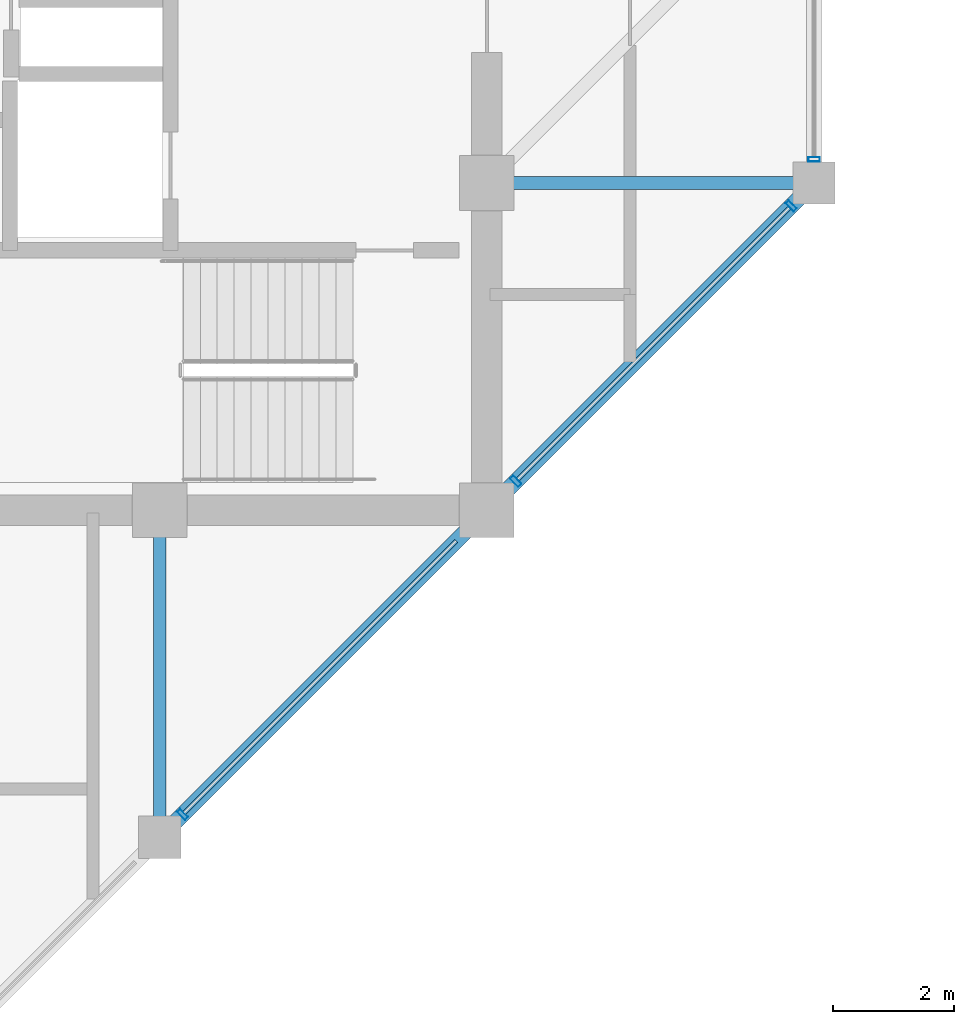
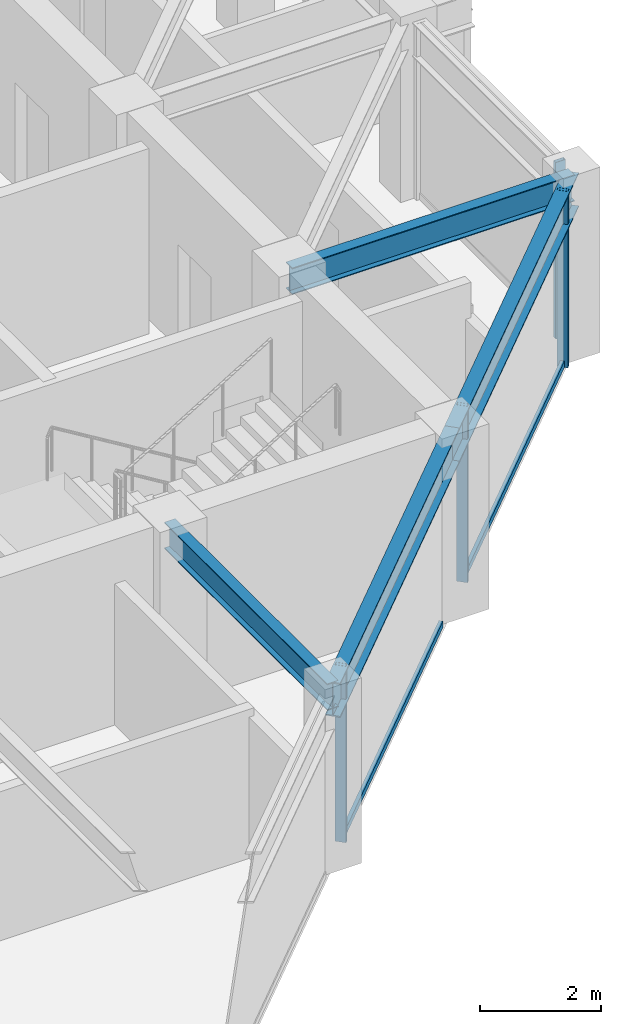
# One storey, part 9 of 31: 6 members, 4 beams, 2 elements without a shape of their own.
"""IFC4 building model written with IfcOpenShell, lengths in metres."""

from ifc_helpers import new_model, si_unit, direction, frame, origin, origin_2d, place, context, subcontext, project, spatial, hollow_rectangle, i_section, extrude, material, layer, layer_set, material_profile, profile_set, type_object, element, aggregate, save


model = new_model("IFC4")

# Units and contexts
model_context = context("Model", 3, precision=1e-05, world=origin(), true_north=direction((0.0, 1.0)))
body_context = subcontext(model_context, "Body", "Model", "MODEL_VIEW")
ifc_project = project(units=[si_unit("LENGTHUNIT", "METRE"), si_unit("AREAUNIT", "SQUARE_METRE"), si_unit("VOLUMEUNIT", "CUBIC_METRE"), si_unit("PLANEANGLEUNIT", "RADIAN"), si_unit("MASSUNIT", "GRAM", prefix="KILO")], contexts=[model_context])

# Site, building, storey
site_placement = place(None, origin())
site = spatial("IfcSite", under=ifc_project, at=site_placement, CompositionType="ELEMENT")
building_placement = place(site_placement, origin())
building = spatial("IfcBuilding", under=site, at=building_placement, Name="Surkhivell Harbour Commons", CompositionType="ELEMENT")
storey_placement = place(building_placement, frame((0.0, 0.0, 270.0)))
storey = spatial("IfcBuildingStorey", under=building, at=storey_placement, Name="L70", CompositionType="ELEMENT", Elevation=270.0)

# Beams
ifc_material_1 = material(Name="Steel S355", Category="steel")
ifc_material_profile_1 = material_profile(ifc_material_1, i_section(OverallWidth=0.2099609375, OverallDepth=0.537109375, WebThickness=0.0107421875, FlangeThickness=0.017333984375, at=origin_2d()), Name="UB533x210x101")
ifc_profile_set_1 = profile_set([ifc_material_profile_1], Name="Steel S355")
beam_type_1 = type_object("IfcBeamType", Name="BM-GRD-533B", PredefinedType="BEAM", material=ifc_profile_set_1)
for number, where, z_axis, x_axis, name in (
    (1, (5.39990234375, -16.199951171875, 3.301513671875), (0.0, 1.0, 0.0), (-1.0, 0.0, 0.0), "L70 Floor Girder (5.4,-16.2)"),
    (2, (10.800048828125, -5.39990234375, 3.301513671875), (1.0, 0.0, 0.0), (0.0, 1.0, 0.0), "L70 Floor Girder (10.8,-5.4)"),
):
    element("IfcBeam", number, at=place(storey_placement, frame(where, z_axis=z_axis, x_axis=x_axis)), inside=storey, type_object=beam_type_1, Name=name, PredefinedType="BEAM", context=body_context, shape_type="SweptSolid", body=[
        extrude(i_section(OverallWidth=0.2099609375, OverallDepth=0.537109375, WebThickness=0.0107421875, FlangeThickness=0.017333984375, at=origin_2d()), origin(), (0.0, 0.0, 1.0), 5.39990234375),
    ])
ifc_material_profile_2 = material_profile(ifc_material_1, i_section(OverallWidth=0.256103515625, OverallDepth=0.693115234375, WebThickness=0.014404296875, FlangeThickness=0.023681640625, at=origin_2d()), Name="UB686x254x170")
ifc_profile_set_2 = profile_set([ifc_material_profile_2], Name="Steel S355")
beam_type_2 = type_object("IfcBeamType", Name="BM-SPN-686", PredefinedType="SPANDREL", material=ifc_profile_set_2)
for number, where, z_axis, x_axis, name in (
    (3, (5.39990234375, -16.199951171875, 3.223388671875), (0.707122765516, 0.707090796496, 0.0), (-0.707090796496, 0.707122765516, 0.0), "L70 Tube Spandrel (5.4,-16.2)"),
    (4, (10.800048828125, -10.800048828125, 3.223388671875), (0.707090796496, 0.707122765516, 0.0), (-0.707122765516, 0.707090796496, 0.0), "L70 Tube Spandrel (10.8,-10.8)"),
):
    element("IfcBeam", number, at=place(storey_placement, frame(where, z_axis=z_axis, x_axis=x_axis)), inside=storey, type_object=beam_type_2, Name=name, PredefinedType="SPANDREL", context=body_context, shape_type="SweptSolid", body=[
        extrude(i_section(OverallWidth=0.256103515625, OverallDepth=0.693115234375, WebThickness=0.014404296875, FlangeThickness=0.023681640625, at=origin_2d()), origin(), (0.0, 0.0, 1.0), 7.63671875),
    ])

# Curtain wall, members
ifc_material_2 = material(Name="Anodised pale-metal aluminium and insulated glazing", Category="aluminium")
ifc_layer = layer(ifc_material_2, 0.175048828125)
ifc_layer_set = layer_set([ifc_layer], Name="Anodised pale-metal aluminium and insulated glazing")
curtain_wall_type = type_object("IfcCurtainWallType", Name="CW-SYS-Z4", PredefinedType="NOTDEFINED", material=ifc_layer_set)
curtain_wall_1_placement = place(storey_placement, origin())
curtain_wall_1 = element("IfcCurtainWall", 5, at=curtain_wall_1_placement, inside=storey, type_object=curtain_wall_type, Name="L70 Curtain Wall CW-L70-E01", PredefinedType="NOTDEFINED")
ifc_material_3 = material(Name="Anodised pale-metal aluminium alloy 6063-T6", Category="aluminium")
ifc_material_profile_3 = material_profile(ifc_material_3, hollow_rectangle(XDim=0.074951171875, YDim=0.18994140625, WallThickness=0.00390625, at=origin_2d()), Name="ALU-MULL-75x190")
ifc_profile_set_3 = profile_set([ifc_material_profile_3], Name="Anodised pale-metal aluminium alloy 6063-T6")
member_type_1 = type_object("IfcMemberType", Name="CWM-190", PredefinedType="MULLION", material=ifc_profile_set_3)
member_1_placement = place(storey_placement, frame((5.778076171875, -15.82177734375, 0.0), z_axis=(0.0, 0.0, 1.0), x_axis=(0.707106781187, 0.707106781187, 0.0)))
member_1 = element("IfcMember", 6, at=member_1_placement, type_object=member_type_1, Name="CW-Z4 mullion 2", PredefinedType="MULLION", context=body_context, shape_type="SweptSolid", body=[
    extrude(hollow_rectangle(XDim=0.074951171875, YDim=0.18994140625, WallThickness=0.00390625, at=origin_2d()), origin(), (0.0, 0.0, 1.0), 3.570068359375),
])
member_2_placement = place(storey_placement, frame((11.278076171875, -10.32177734375, 0.0), z_axis=(0.0, 0.0, 1.0), x_axis=(0.707106781187, 0.707106781187, 0.0)))
member_2 = element("IfcMember", 7, at=member_2_placement, type_object=member_type_1, Name="CW-Z4 mullion 3", PredefinedType="MULLION", context=body_context, shape_type="SweptSolid", body=[
    extrude(hollow_rectangle(XDim=0.074951171875, YDim=0.18994140625, WallThickness=0.00390625, at=origin_2d()), origin(), (0.0, 0.0, 1.0), 3.570068359375),
])
member_3_placement = place(storey_placement, frame((15.82177734375, -5.778076171875, 0.0), z_axis=(0.0, 0.0, 1.0), x_axis=(0.707106781187, 0.707106781187, 0.0)))
member_3 = element("IfcMember", 8, at=member_3_placement, type_object=member_type_1, Name="CW-Z4 mullion 4", PredefinedType="MULLION", context=body_context, shape_type="SweptSolid", body=[
    extrude(hollow_rectangle(XDim=0.074951171875, YDim=0.18994140625, WallThickness=0.00390625, at=origin_2d()), origin(), (0.0, 0.0, 1.0), 3.570068359375),
])

# Curtain wall, member
curtain_wall_2_placement = place(storey_placement, origin())
curtain_wall_2 = element("IfcCurtainWall", 9, at=curtain_wall_2_placement, inside=storey, type_object=curtain_wall_type, Name="L70 Curtain Wall CW-L70-E02R1", PredefinedType="NOTDEFINED")
member_4_placement = place(storey_placement, frame((16.199951171875, -5.010498046875, 0.0), z_axis=(0.0, 0.0, 1.0), x_axis=(0.0, 1.0, 0.0)))
member_4 = element("IfcMember", 10, at=member_4_placement, type_object=member_type_1, Name="CW-Z4 mullion 1", PredefinedType="MULLION", context=body_context, shape_type="SweptSolid", body=[
    extrude(hollow_rectangle(XDim=0.074951171875, YDim=0.18994140625, WallThickness=0.00390625, at=origin_2d()), origin(), (0.0, 0.0, 1.0), 3.570068359375),
])
aggregate(curtain_wall_2, [member_4])

# Member
ifc_material_4 = material(Name="Champagne anodised aluminium alloy 6063-T6", Category="aluminium")
ifc_material_profile_4 = material_profile(ifc_material_4, hollow_rectangle(XDim=0.070068359375, YDim=0.1298828125, WallThickness=0.00341796875, at=origin_2d()), Name="ALU-TRAN-70x130")
ifc_profile_set_4 = profile_set([ifc_material_profile_4], Name="Champagne anodised aluminium alloy 6063-T6")
member_type_2 = type_object("IfcMemberType", Name="CWT-130", PredefinedType="USERDEFINED", material=ifc_profile_set_4)
member_5_placement = place(storey_placement, frame((5.8046875, -15.79541015625, 0.06494140625), z_axis=(0.707106781187, 0.707106781187, 0.0), x_axis=(-0.707106781187, 0.707106781187, 0.0)))
member_5 = element("IfcMember", 11, at=member_5_placement, type_object=member_type_2, Name="CW-Z4 transom 2.1", ObjectType="TRANSOM", PredefinedType="USERDEFINED", context=body_context, shape_type="SweptSolid", body=[
    extrude(hollow_rectangle(XDim=0.070068359375, YDim=0.1298828125, WallThickness=0.00341796875, at=origin_2d()), origin(), (0.0, 0.0, 1.0), 6.350830078125),
])

member_6_placement = place(storey_placement, frame((11.3046875, -10.29541015625, 0.06494140625), z_axis=(0.707106781187, 0.707106781187, 0.0), x_axis=(-0.707106781187, 0.707106781187, 0.0)))
member_6 = element("IfcMember", 12, at=member_6_placement, type_object=member_type_2, Name="CW-Z4 transom 3.1", ObjectType="TRANSOM", PredefinedType="USERDEFINED", context=body_context, shape_type="SweptSolid", body=[
    extrude(hollow_rectangle(XDim=0.070068359375, YDim=0.1298828125, WallThickness=0.00341796875, at=origin_2d()), origin(), (0.0, 0.0, 1.0), 6.350830078125),
])

aggregate(curtain_wall_1, [member_1, member_5, member_2, member_3, member_6])

save(model, "model.ifc")
